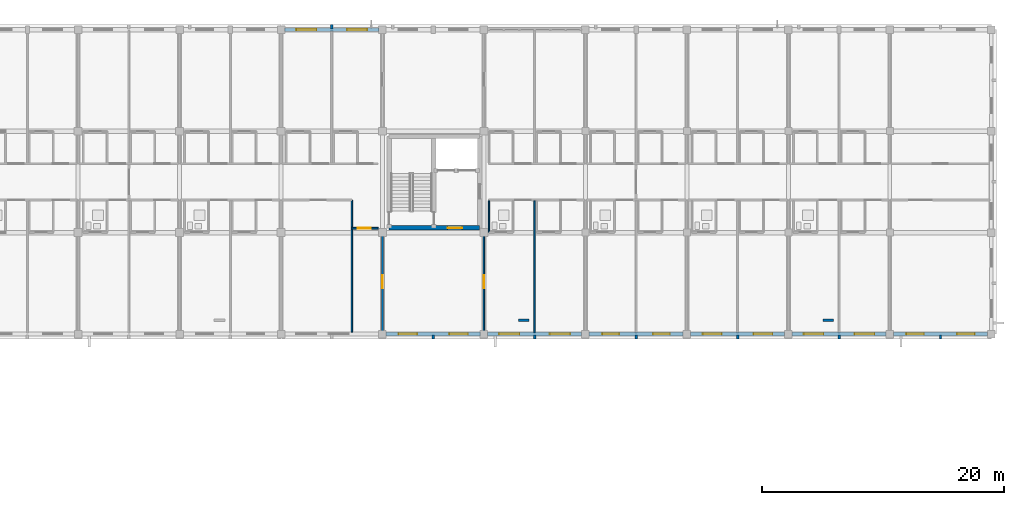
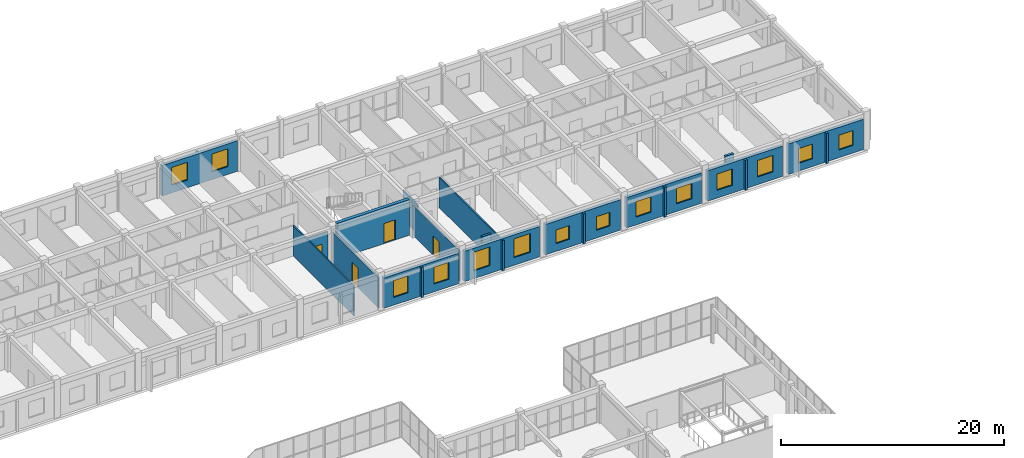
# One storey, part 69 of 81: 23 walls, 14 windows, 4 doors, 18 openings.
"""IFC4 building model written with IfcOpenShell, lengths in metres."""

from ifc_helpers import new_model, si_unit, direction, frame, frame_2d, origin, place, context, subcontext, project, spatial, rectangle, extrude, material, layer, layer_set, type_object, element, fill, save


model = new_model("IFC4")

# Units and contexts
model_context = context("Model", 3, precision=1e-05, world=origin(), true_north=direction((0.0, 1.0)))
body_context = subcontext(model_context, "Body", "Model", "MODEL_VIEW")
ifc_project = project(units=[si_unit("LENGTHUNIT", "METRE"), si_unit("AREAUNIT", "SQUARE_METRE"), si_unit("VOLUMEUNIT", "CUBIC_METRE"), si_unit("PLANEANGLEUNIT", "RADIAN"), si_unit("MASSUNIT", "GRAM", prefix="KILO")], contexts=[model_context])

# Site, building, storey
site_placement = place(None, origin())
site = spatial("IfcSite", under=ifc_project, at=site_placement, CompositionType="ELEMENT")
building_placement = place(site_placement, origin())
building = spatial("IfcBuilding", under=site, at=building_placement, Name="Trelvath General Hospital", CompositionType="ELEMENT")
storey_placement = place(building_placement, frame((0.0, 0.0, 24.60009765625)))
storey = spatial("IfcBuildingStorey", under=building, at=storey_placement, Name="L06", CompositionType="ELEMENT", Elevation=24.60009765625)

# Walls
ifc_material_1 = material(Name="Precast concrete C40/50", Category="concrete")
ifc_layer_1 = layer(ifc_material_1, 0.199951171875)
ifc_layer_set_1 = layer_set([ifc_layer_1], Name="Precast concrete C40/50")
wall_type_1 = type_object("IfcWallType", Name="BriseSoleilRib 200", PredefinedType="ELEMENTEDWALL", material=ifc_layer_set_1)
for number, where, z_axis, x_axis, name in (
    (1, (79.800048828125, 117.675048828125, 0.0), (0.0, 0.0, 1.0), (0.0, 1.0, 0.0), "Precast Concrete Brise-Soleil Rib Fin L06-434"),
    (2, (88.199951171875, 92.324951171875, 0.0), (0.0, 0.0, 1.0), (0.0, -1.0, 0.0), "Precast Concrete Brise-Soleil Rib Fin L06-437"),
    (3, (96.60009765625, 92.324951171875, 0.0), (0.0, 0.0, 1.0), (0.0, -1.0, 0.0), "Precast Concrete Brise-Soleil Rib Fin L06-440"),
    (4, (105.0, 92.324951171875, 0.0), (0.0, 0.0, 1.0), (0.0, -1.0, 0.0), "Precast Concrete Brise-Soleil Rib Fin L06-443"),
    (5, (113.39990234375, 92.324951171875, 0.0), (0.0, 0.0, 1.0), (0.0, -1.0, 0.0), "Precast Concrete Brise-Soleil Rib Fin L06-450"),
    (6, (121.800048828125, 92.324951171875, 0.0), (0.0, 0.0, 1.0), (0.0, -1.0, 0.0), "Precast Concrete Brise-Soleil Rib Fin L06-452"),
    (7, (130.199951171875, 92.324951171875, 0.0), (0.0, 0.0, 1.0), (0.0, -1.0, 0.0), "Precast Concrete Brise-Soleil Rib Fin L06-454"),
):
    element("IfcWall", number, at=place(storey_placement, frame(where, z_axis=z_axis, x_axis=x_axis)), inside=storey, type_object=wall_type_1, Name=name, PredefinedType="ELEMENTEDWALL", context=body_context, shape_type="SweptSolid", body=[
        extrude(rectangle(XDim=0.33984375, YDim=0.199951171875, at=frame_2d((0.169921875, 0.0))), origin(), (0.0, 0.0, 1.0), 3.31982421875),
    ])

# Wall, opening, door
ifc_material_2 = material(Name="Gypsum acoustic steel-stud partition", Category="steel")
ifc_layer_2 = layer(ifc_material_2, 0.14990234375)
ifc_layer_set_2 = layer_set([ifc_layer_2], Name="Gypsum acoustic steel-stud partition")
wall_type_2 = type_object("IfcWallType", Name="ClinicalPartition 150", PredefinedType="PARTITIONING", material=ifc_layer_set_2)
wall_1_placement = place(storey_placement, frame((81.4599609375, 101.159912109375, 0.0), z_axis=(0.0, 0.0, 1.0), x_axis=(1.0, 0.0, 0.0)))
wall_1 = element("IfcWall", 8, at=wall_1_placement, inside=storey, type_object=wall_type_2, Name="Clean Utility Partition L06-2229", PredefinedType="PARTITIONING", context=body_context, shape_type="SweptSolid", body=[
    extrude(rectangle(XDim=2.179931640625, YDim=0.14990234375, at=frame_2d((1.08984375, 0.0))), origin(), (0.0, 0.0, 1.0), 3.31982421875),
])
opening_1_placement = place(wall_1_placement, frame((0.5, 0.0, 0.0)))
opening_1 = element("IfcOpeningElement", 9, at=opening_1_placement, cuts=wall_1, Name="Opening D-6-1407", PredefinedType="OPENING", context=body_context, shape_type="SweptSolid", body=[
    extrude(rectangle(XDim=1.080078125, YDim=2.14990234375, at=frame_2d((0.5400390625, 1.074951171875))), frame((0.0, 0.0849609375, 0.0), z_axis=(0.0, -1.0, 0.0), x_axis=(1.0, 0.0, 0.0)), (0.0, 0.0, 1.0), 0.169921875),
])
ifc_material_3 = material(Name="Acoustic hospital timber leaf", Category="wood")
door_type_1 = type_object("IfcDoorType", Name="Door CleanSupply 1080x2150", OperationType="NOTDEFINED", PredefinedType="DOOR", material=ifc_material_3)
door_1_placement = place(opening_1_placement, origin())
door_1 = element("IfcDoor", 10, at=door_1_placement, inside=storey, type_object=door_type_1, Name="Clean Utility Door L06-1407", OperationType="SINGLE_SWING_RIGHT", OverallHeight=2.14990234375, OverallWidth=1.080078125, PredefinedType="DOOR", context=body_context, shape_type="SweptSolid", body=[
    extrude(rectangle(XDim=1.080078125, YDim=2.14990234375, at=frame_2d((0.5400390625, 1.074951171875))), frame((0.0, 0.02490234375, 0.0), z_axis=(0.0, -1.0, 0.0), x_axis=(1.0, 0.0, 0.0)), (0.0, 0.0, 1.0), 0.050048828125),
])
fill(opening_1, door_1)

ifc_material_4 = material(Name="Concrete C40/50", Category="concrete")
ifc_layer_3 = layer(ifc_material_4, 0.35009765625)
ifc_layer_set_3 = layer_set([ifc_layer_3], Name="Concrete C40/50")
wall_type_3 = type_object("IfcWallType", Name="CoreShearWall 350", PredefinedType="SHEAR", material=ifc_layer_set_3)
wall_2_placement = place(storey_placement, frame((84.550048828125, 101.199951171875, 0.0), z_axis=(0.0, 0.0, 1.0), x_axis=(1.0, 0.0, 0.0)))
wall_2 = element("IfcWall", 11, at=wall_2_placement, inside=storey, type_object=wall_type_3, Name="Core Shear Wall C2 S L06", PredefinedType="SHEAR", context=body_context, shape_type="SweptSolid", body=[
    extrude(rectangle(XDim=7.5, YDim=0.35009765625, at=frame_2d((3.75, 0.0))), origin(), (0.0, 0.0, 1.0), 3.919921875),
])
opening_2_placement = place(wall_2_placement, frame((4.85009765625, 0.0, 0.0)))
opening_2 = element("IfcOpeningElement", 12, at=opening_2_placement, cuts=wall_2, Name="Opening FD-LS26", PredefinedType="OPENING", context=body_context, shape_type="SweptSolid", body=[
    extrude(rectangle(XDim=1.199951171875, YDim=2.199951171875, at=frame_2d((0.60009765625, 1.10009765625))), frame((0.0, 0.18505859375, 0.0), z_axis=(0.0, -1.0, 0.0), x_axis=(1.0, 0.0, 0.0)), (0.0, 0.0, 1.0), 0.3701171875),
])
ifc_material_5 = material(Name="Fire-rated steel door", Category="steel")
door_type_2 = type_object("IfcDoorType", Name="Door FireLobby 1200x2200", OperationType="NOTDEFINED", PredefinedType="DOOR", material=ifc_material_5)
door_2_placement = place(opening_2_placement, origin())
door_2 = element("IfcDoor", 13, at=door_2_placement, inside=storey, type_object=door_type_2, Name="Fire Lobby South Door C2 L06", OperationType="SINGLE_SWING_RIGHT", OverallHeight=2.199951171875, OverallWidth=1.199951171875, PredefinedType="DOOR", context=body_context, shape_type="SweptSolid", body=[
    extrude(rectangle(XDim=1.199951171875, YDim=2.199951171875, at=frame_2d((0.60009765625, 1.10009765625))), frame((0.0, 0.02490234375, 0.0), z_axis=(0.0, -1.0, 0.0), x_axis=(1.0, 0.0, 0.0)), (0.0, 0.0, 1.0), 0.050048828125),
])
fill(opening_2, door_2)

# Wall
ifc_material_6 = material(Name="Moisture-resistant tile partition")
ifc_layer_4 = layer(ifc_material_6, 0.110107421875)
ifc_layer_set_4 = layer_set([ifc_layer_4], Name="Moisture-resistant tile partition")
wall_type_4 = type_object("IfcWallType", Name="EnSuiteWetWall 110", PredefinedType="PARTITIONING", material=ifc_layer_set_4)
wall_3_placement = place(storey_placement, frame((92.820068359375, 100.820068359375, 0.0), z_axis=(0.0, 0.0, 1.0), x_axis=(0.0, 1.0, 0.0)))
element("IfcWall", 14, at=wall_3_placement, inside=storey, type_object=wall_type_4, Name="En-Suite W Wall L06-2244", PredefinedType="PARTITIONING", context=body_context, shape_type="SweptSolid", body=[
    extrude(rectangle(XDim=2.60986328125, YDim=0.110107421875, at=frame_2d((1.304931640625, 0.0))), origin(), (0.0, 0.0, 1.0), 3.31982421875),
])

# Wall, openings, windows
ifc_material_7 = material(Name="Concrete C35/45", Category="concrete")
ifc_layer_5 = layer(ifc_material_7, 0.320068359375)
ifc_layer_set_5 = layer_set([ifc_layer_5], Name="Concrete C35/45")
wall_type_5 = type_object("IfcWallType", Name="ExtThermalWall 320", PredefinedType="SOLIDWALL", material=ifc_layer_set_5)
wall_4_placement = place(storey_placement, frame((75.905029296875, 117.60009765625, 0.0), z_axis=(0.0, 0.0, 1.0), x_axis=(1.0, 0.0, 0.0)))
wall_4 = element("IfcWall", 15, at=wall_4_placement, inside=storey, type_object=wall_type_5, Name="Exterior Concrete Wall L06-580", PredefinedType="SOLIDWALL", context=body_context, shape_type="SweptSolid", body=[
    extrude(rectangle(XDim=7.7900390625, YDim=0.320068359375, at=frame_2d((3.89501953125, 0.0))), origin(), (0.0, 0.0, 1.0), 3.33984375),
])
opening_3_placement = place(wall_4_placement, frame((0.961669921875, 0.0, 0.85009765625)))
opening_3 = element("IfcOpeningElement", 16, at=opening_3_placement, cuts=wall_4, Name="Opening WN-6-971", PredefinedType="OPENING", context=body_context, shape_type="SweptSolid", body=[
    extrude(rectangle(XDim=1.659912109375, YDim=1.949951171875, at=frame_2d((0.830078125, 0.97509765625))), frame((0.0, 0.169921875, 0.0), z_axis=(0.0, -1.0, 0.0), x_axis=(1.0, 0.0, 0.0)), (0.0, 0.0, 1.0), 0.340087890625),
])
opening_4_placement = place(wall_4_placement, frame((5.168212890625, 0.0, 0.85009765625)))
opening_4 = element("IfcOpeningElement", 17, at=opening_4_placement, cuts=wall_4, Name="Opening WN-6-972", PredefinedType="OPENING", context=body_context, shape_type="SweptSolid", body=[
    extrude(rectangle(XDim=1.659912109375, YDim=1.949951171875, at=frame_2d((0.830078125, 0.97509765625))), frame((0.0, 0.169921875, 0.0), z_axis=(0.0, -1.0, 0.0), x_axis=(1.0, 0.0, 0.0)), (0.0, 0.0, 1.0), 0.340087890625),
])
ifc_material_8 = material(Name="Low-E laminated glass", Category="glass")
window_type_1 = type_object("IfcWindowType", Name="Window Dayroom 1660x1950", PartitioningType="DOUBLE_PANEL_VERTICAL", PredefinedType="WINDOW", material=ifc_material_8)
window_1_placement = place(opening_3_placement, origin())
window_1 = element("IfcWindow", 18, at=window_1_placement, inside=storey, type_object=window_type_1, Name="Solar Reveal Window L06-971", OverallHeight=1.949951171875, OverallWidth=1.659912109375, PartitioningType="SINGLE_PANEL", PredefinedType="WINDOW", context=body_context, shape_type="SweptSolid", body=[
    extrude(rectangle(XDim=1.659912109375, YDim=1.949951171875, at=frame_2d((0.830078125, 0.97509765625))), frame((0.0, 0.030029296875, 0.0), z_axis=(0.0, -1.0, 0.0), x_axis=(1.0, 0.0, 0.0)), (0.0, 0.0, 1.0), 0.06005859375),
])
fill(opening_3, window_1)
window_2_placement = place(opening_4_placement, origin())
window_2 = element("IfcWindow", 19, at=window_2_placement, inside=storey, type_object=window_type_1, Name="Solar Reveal Window L06-972", OverallHeight=1.949951171875, OverallWidth=1.659912109375, PartitioningType="SINGLE_PANEL", PredefinedType="WINDOW", context=body_context, shape_type="SweptSolid", body=[
    extrude(rectangle(XDim=1.659912109375, YDim=1.949951171875, at=frame_2d((0.830078125, 0.97509765625))), frame((0.0, 0.030029296875, 0.0), z_axis=(0.0, -1.0, 0.0), x_axis=(1.0, 0.0, 0.0)), (0.0, 0.0, 1.0), 0.06005859375),
])
fill(opening_4, window_2)

wall_5_placement = place(storey_placement, frame((92.094970703125, 92.39990234375, 0.0), z_axis=(0.0, 0.0, 1.0), x_axis=(-1.0, 0.0, 0.0)))
wall_5 = element("IfcWall", 20, at=wall_5_placement, inside=storey, type_object=wall_type_5, Name="Exterior Concrete Wall L06-586", PredefinedType="SOLIDWALL", context=body_context, shape_type="SweptSolid", body=[
    extrude(rectangle(XDim=7.7900390625, YDim=0.320068359375, at=frame_2d((3.89501953125, 0.0))), origin(), (0.0, 0.0, 1.0), 3.33984375),
])
opening_5_placement = place(wall_5_placement, frame((1.021728515625, 0.0, 0.85009765625)))
opening_5 = element("IfcOpeningElement", 21, at=opening_5_placement, cuts=wall_5, Name="Opening WN-6-979", PredefinedType="OPENING", context=body_context, shape_type="SweptSolid", body=[
    extrude(rectangle(XDim=1.5400390625, YDim=1.85009765625, at=frame_2d((0.77001953125, 0.925048828125))), frame((0.0, 0.169921875, 0.0), z_axis=(0.0, -1.0, 0.0), x_axis=(1.0, 0.0, 0.0)), (0.0, 0.0, 1.0), 0.340087890625),
])
opening_6_placement = place(wall_5_placement, frame((5.228271484375, 0.0, 0.85009765625)))
opening_6 = element("IfcOpeningElement", 22, at=opening_6_placement, cuts=wall_5, Name="Opening WN-6-980", PredefinedType="OPENING", context=body_context, shape_type="SweptSolid", body=[
    extrude(rectangle(XDim=1.5400390625, YDim=1.85009765625, at=frame_2d((0.77001953125, 0.925048828125))), frame((0.0, 0.169921875, 0.0), z_axis=(0.0, -1.0, 0.0), x_axis=(1.0, 0.0, 0.0)), (0.0, 0.0, 1.0), 0.340087890625),
])
ifc_material_9 = material(Name="Low-E laminated glass", Category="glass")
window_type_2 = type_object("IfcWindowType", Name="Window Waiting 1540x1850", PartitioningType="DOUBLE_PANEL_VERTICAL", PredefinedType="WINDOW", material=ifc_material_9)
window_3_placement = place(opening_5_placement, origin())
window_3 = element("IfcWindow", 23, at=window_3_placement, inside=storey, type_object=window_type_2, Name="Solar Reveal Window L06-979", OverallHeight=1.85009765625, OverallWidth=1.5400390625, PartitioningType="SINGLE_PANEL", PredefinedType="WINDOW", context=body_context, shape_type="SweptSolid", body=[
    extrude(rectangle(XDim=1.5400390625, YDim=1.85009765625, at=frame_2d((0.77001953125, 0.925048828125))), frame((0.0, 0.030029296875, 0.0), z_axis=(0.0, -1.0, 0.0), x_axis=(1.0, 0.0, 0.0)), (0.0, 0.0, 1.0), 0.06005859375),
])
fill(opening_5, window_3)
window_4_placement = place(opening_6_placement, origin())
window_4 = element("IfcWindow", 24, at=window_4_placement, inside=storey, type_object=window_type_2, Name="Solar Reveal Window L06-980", OverallHeight=1.85009765625, OverallWidth=1.5400390625, PartitioningType="SINGLE_PANEL", PredefinedType="WINDOW", context=body_context, shape_type="SweptSolid", body=[
    extrude(rectangle(XDim=1.5400390625, YDim=1.85009765625, at=frame_2d((0.77001953125, 0.925048828125))), frame((0.0, 0.030029296875, 0.0), z_axis=(0.0, -1.0, 0.0), x_axis=(1.0, 0.0, 0.0)), (0.0, 0.0, 1.0), 0.06005859375),
])
fill(opening_6, window_4)

wall_6_placement = place(storey_placement, frame((100.4951171875, 92.39990234375, 0.0), z_axis=(0.0, 0.0, 1.0), x_axis=(-1.0, 0.0, 0.0)))
wall_6 = element("IfcWall", 25, at=wall_6_placement, inside=storey, type_object=wall_type_5, Name="Exterior Concrete Wall L06-589", PredefinedType="SOLIDWALL", context=body_context, shape_type="SweptSolid", body=[
    extrude(rectangle(XDim=7.7900390625, YDim=0.320068359375, at=frame_2d((3.89501953125, 0.0))), origin(), (0.0, 0.0, 1.0), 3.33984375),
])
opening_7_placement = place(wall_6_placement, frame((0.95166015625, 0.0, 0.85009765625)))
opening_7 = element("IfcOpeningElement", 26, at=opening_7_placement, cuts=wall_6, Name="Opening WN-6-985", PredefinedType="OPENING", context=body_context, shape_type="SweptSolid", body=[
    extrude(rectangle(XDim=1.679931640625, YDim=2.050048828125, at=frame_2d((0.83984375, 1.02490234375))), frame((0.0, 0.169921875, 0.0), z_axis=(0.0, -1.0, 0.0), x_axis=(1.0, 0.0, 0.0)), (0.0, 0.0, 1.0), 0.340087890625),
])
opening_8_placement = place(wall_6_placement, frame((5.158203125, 0.0, 0.85009765625)))
opening_8 = element("IfcOpeningElement", 27, at=opening_8_placement, cuts=wall_6, Name="Opening WN-6-986", PredefinedType="OPENING", context=body_context, shape_type="SweptSolid", body=[
    extrude(rectangle(XDim=1.679931640625, YDim=2.050048828125, at=frame_2d((0.83984375, 1.02490234375))), frame((0.0, 0.169921875, 0.0), z_axis=(0.0, -1.0, 0.0), x_axis=(1.0, 0.0, 0.0)), (0.0, 0.0, 1.0), 0.340087890625),
])
ifc_material_10 = material(Name="Low-E laminated glass", Category="glass")
window_type_3 = type_object("IfcWindowType", Name="Window Cafe 1680x2050", PartitioningType="DOUBLE_PANEL_VERTICAL", PredefinedType="WINDOW", material=ifc_material_10)
window_5_placement = place(opening_7_placement, origin())
window_5 = element("IfcWindow", 28, at=window_5_placement, inside=storey, type_object=window_type_3, Name="Solar Reveal Window L06-985", OverallHeight=2.050048828125, OverallWidth=1.679931640625, PartitioningType="SINGLE_PANEL", PredefinedType="WINDOW", context=body_context, shape_type="SweptSolid", body=[
    extrude(rectangle(XDim=1.679931640625, YDim=2.050048828125, at=frame_2d((0.83984375, 1.02490234375))), frame((0.0, 0.030029296875, 0.0), z_axis=(0.0, -1.0, 0.0), x_axis=(1.0, 0.0, 0.0)), (0.0, 0.0, 1.0), 0.06005859375),
])
fill(opening_7, window_5)
window_6_placement = place(opening_8_placement, origin())
window_6 = element("IfcWindow", 29, at=window_6_placement, inside=storey, type_object=window_type_3, Name="Solar Reveal Window L06-986", OverallHeight=2.050048828125, OverallWidth=1.679931640625, PartitioningType="SINGLE_PANEL", PredefinedType="WINDOW", context=body_context, shape_type="SweptSolid", body=[
    extrude(rectangle(XDim=1.679931640625, YDim=2.050048828125, at=frame_2d((0.83984375, 1.02490234375))), frame((0.0, 0.030029296875, 0.0), z_axis=(0.0, -1.0, 0.0), x_axis=(1.0, 0.0, 0.0)), (0.0, 0.0, 1.0), 0.06005859375),
])
fill(opening_8, window_6)

wall_7_placement = place(storey_placement, frame((108.89501953125, 92.39990234375, 0.0), z_axis=(0.0, 0.0, 1.0), x_axis=(-1.0, 0.0, 0.0)))
wall_7 = element("IfcWall", 30, at=wall_7_placement, inside=storey, type_object=wall_type_5, Name="Exterior Concrete Wall L06-592", PredefinedType="SOLIDWALL", context=body_context, shape_type="SweptSolid", body=[
    extrude(rectangle(XDim=7.7900390625, YDim=0.320068359375, at=frame_2d((3.89501953125, 0.0))), origin(), (0.0, 0.0, 1.0), 3.33984375),
])
opening_9_placement = place(wall_7_placement, frame((1.101806640625, 0.0, 0.85009765625)))
opening_9 = element("IfcOpeningElement", 31, at=opening_9_placement, cuts=wall_7, Name="Opening WN-6-991", PredefinedType="OPENING", context=body_context, shape_type="SweptSolid", body=[
    extrude(rectangle(XDim=1.3798828125, YDim=1.5, at=frame_2d((0.68994140625, 0.75))), frame((0.0, 0.169921875, 0.0), z_axis=(0.0, -1.0, 0.0), x_axis=(1.0, 0.0, 0.0)), (0.0, 0.0, 1.0), 0.340087890625),
])
opening_10_placement = place(wall_7_placement, frame((5.308349609375, 0.0, 0.85009765625)))
opening_10 = element("IfcOpeningElement", 32, at=opening_10_placement, cuts=wall_7, Name="Opening WN-6-992", PredefinedType="OPENING", context=body_context, shape_type="SweptSolid", body=[
    extrude(rectangle(XDim=1.3798828125, YDim=1.5, at=frame_2d((0.68994140625, 0.75))), frame((0.0, 0.169921875, 0.0), z_axis=(0.0, -1.0, 0.0), x_axis=(1.0, 0.0, 0.0)), (0.0, 0.0, 1.0), 0.340087890625),
])
ifc_material_11 = material(Name="Low-E laminated glass", Category="glass")
window_type_4 = type_object("IfcWindowType", Name="Window Admin 1380x1500", PartitioningType="SINGLE_PANEL", PredefinedType="WINDOW", material=ifc_material_11)
window_7_placement = place(opening_9_placement, origin())
window_7 = element("IfcWindow", 33, at=window_7_placement, inside=storey, type_object=window_type_4, Name="Solar Reveal Window L06-991", OverallHeight=1.5, OverallWidth=1.3798828125, PartitioningType="SINGLE_PANEL", PredefinedType="WINDOW", context=body_context, shape_type="SweptSolid", body=[
    extrude(rectangle(XDim=1.3798828125, YDim=1.5, at=frame_2d((0.68994140625, 0.75))), frame((0.0, 0.030029296875, 0.0), z_axis=(0.0, -1.0, 0.0), x_axis=(1.0, 0.0, 0.0)), (0.0, 0.0, 1.0), 0.06005859375),
])
fill(opening_9, window_7)
window_8_placement = place(opening_10_placement, origin())
window_8 = element("IfcWindow", 34, at=window_8_placement, inside=storey, type_object=window_type_4, Name="Solar Reveal Window L06-992", OverallHeight=1.5, OverallWidth=1.3798828125, PartitioningType="SINGLE_PANEL", PredefinedType="WINDOW", context=body_context, shape_type="SweptSolid", body=[
    extrude(rectangle(XDim=1.3798828125, YDim=1.5, at=frame_2d((0.68994140625, 0.75))), frame((0.0, 0.030029296875, 0.0), z_axis=(0.0, -1.0, 0.0), x_axis=(1.0, 0.0, 0.0)), (0.0, 0.0, 1.0), 0.06005859375),
])
fill(opening_10, window_8)

wall_8_placement = place(storey_placement, frame((117.294921875, 92.39990234375, 0.0), z_axis=(0.0, 0.0, 1.0), x_axis=(-1.0, 0.0, 0.0)))
wall_8 = element("IfcWall", 35, at=wall_8_placement, inside=storey, type_object=wall_type_5, Name="Exterior Concrete Wall L06-599", PredefinedType="SOLIDWALL", context=body_context, shape_type="SweptSolid", body=[
    extrude(rectangle(XDim=7.7900390625, YDim=0.320068359375, at=frame_2d((3.89501953125, 0.0))), origin(), (0.0, 0.0, 1.0), 3.33984375),
])
opening_11_placement = place(wall_8_placement, frame((1.01171875, 0.0, 0.85009765625)))
opening_11 = element("IfcOpeningElement", 36, at=opening_11_placement, cuts=wall_8, Name="Opening WN-6-1005", PredefinedType="OPENING", context=body_context, shape_type="SweptSolid", body=[
    extrude(rectangle(XDim=1.56005859375, YDim=1.699951171875, at=frame_2d((0.780029296875, 0.85009765625))), frame((0.0, 0.169921875, 0.0), z_axis=(0.0, -1.0, 0.0), x_axis=(1.0, 0.0, 0.0)), (0.0, 0.0, 1.0), 0.340087890625),
])
opening_12_placement = place(wall_8_placement, frame((5.21826171875, 0.0, 0.85009765625)))
opening_12 = element("IfcOpeningElement", 37, at=opening_12_placement, cuts=wall_8, Name="Opening WN-6-1006", PredefinedType="OPENING", context=body_context, shape_type="SweptSolid", body=[
    extrude(rectangle(XDim=1.56005859375, YDim=1.699951171875, at=frame_2d((0.780029296875, 0.85009765625))), frame((0.0, 0.169921875, 0.0), z_axis=(0.0, -1.0, 0.0), x_axis=(1.0, 0.0, 0.0)), (0.0, 0.0, 1.0), 0.340087890625),
])
ifc_material_12 = material(Name="Low-E laminated glass", Category="glass")
window_type_5 = type_object("IfcWindowType", Name="Window Dialysis 1560x1700", PartitioningType="DOUBLE_PANEL_VERTICAL", PredefinedType="WINDOW", material=ifc_material_12)
window_9_placement = place(opening_11_placement, origin())
window_9 = element("IfcWindow", 38, at=window_9_placement, inside=storey, type_object=window_type_5, Name="Solar Reveal Window L06-1005", OverallHeight=1.699951171875, OverallWidth=1.56005859375, PartitioningType="SINGLE_PANEL", PredefinedType="WINDOW", context=body_context, shape_type="SweptSolid", body=[
    extrude(rectangle(XDim=1.56005859375, YDim=1.699951171875, at=frame_2d((0.780029296875, 0.85009765625))), frame((0.0, 0.030029296875, 0.0), z_axis=(0.0, -1.0, 0.0), x_axis=(1.0, 0.0, 0.0)), (0.0, 0.0, 1.0), 0.06005859375),
])
fill(opening_11, window_9)
window_10_placement = place(opening_12_placement, origin())
window_10 = element("IfcWindow", 39, at=window_10_placement, inside=storey, type_object=window_type_5, Name="Solar Reveal Window L06-1006", OverallHeight=1.699951171875, OverallWidth=1.56005859375, PartitioningType="SINGLE_PANEL", PredefinedType="WINDOW", context=body_context, shape_type="SweptSolid", body=[
    extrude(rectangle(XDim=1.56005859375, YDim=1.699951171875, at=frame_2d((0.780029296875, 0.85009765625))), frame((0.0, 0.030029296875, 0.0), z_axis=(0.0, -1.0, 0.0), x_axis=(1.0, 0.0, 0.0)), (0.0, 0.0, 1.0), 0.06005859375),
])
fill(opening_12, window_10)

wall_9_placement = place(storey_placement, frame((125.695068359375, 92.39990234375, 0.0), z_axis=(0.0, 0.0, 1.0), x_axis=(-1.0, 0.0, 0.0)))
wall_9 = element("IfcWall", 40, at=wall_9_placement, inside=storey, type_object=wall_type_5, Name="Exterior Concrete Wall L06-601", PredefinedType="SOLIDWALL", context=body_context, shape_type="SweptSolid", body=[
    extrude(rectangle(XDim=7.7900390625, YDim=0.320068359375, at=frame_2d((3.89501953125, 0.0))), origin(), (0.0, 0.0, 1.0), 3.33984375),
])
opening_13_placement = place(wall_9_placement, frame((0.981689453125, 0.0, 0.85009765625)))
opening_13 = element("IfcOpeningElement", 41, at=opening_13_placement, cuts=wall_9, Name="Opening WN-6-1009", PredefinedType="OPENING", context=body_context, shape_type="SweptSolid", body=[
    extrude(rectangle(XDim=1.6201171875, YDim=1.800048828125, at=frame_2d((0.81005859375, 0.89990234375))), frame((0.0, 0.169921875, 0.0), z_axis=(0.0, -1.0, 0.0), x_axis=(1.0, 0.0, 0.0)), (0.0, 0.0, 1.0), 0.340087890625),
])
opening_14_placement = place(wall_9_placement, frame((5.188232421875, 0.0, 0.85009765625)))
opening_14 = element("IfcOpeningElement", 42, at=opening_14_placement, cuts=wall_9, Name="Opening WN-6-1010", PredefinedType="OPENING", context=body_context, shape_type="SweptSolid", body=[
    extrude(rectangle(XDim=1.6201171875, YDim=1.800048828125, at=frame_2d((0.81005859375, 0.89990234375))), frame((0.0, 0.169921875, 0.0), z_axis=(0.0, -1.0, 0.0), x_axis=(1.0, 0.0, 0.0)), (0.0, 0.0, 1.0), 0.340087890625),
])
ifc_material_13 = material(Name="Low-E laminated glass", Category="glass")
window_type_6 = type_object("IfcWindowType", Name="Window Rehab 1620x1800", PartitioningType="DOUBLE_PANEL_VERTICAL", PredefinedType="WINDOW", material=ifc_material_13)
window_11_placement = place(opening_13_placement, origin())
window_11 = element("IfcWindow", 43, at=window_11_placement, inside=storey, type_object=window_type_6, Name="Solar Reveal Window L06-1009", OverallHeight=1.800048828125, OverallWidth=1.6201171875, PartitioningType="SINGLE_PANEL", PredefinedType="WINDOW", context=body_context, shape_type="SweptSolid", body=[
    extrude(rectangle(XDim=1.6201171875, YDim=1.800048828125, at=frame_2d((0.81005859375, 0.89990234375))), frame((0.0, 0.030029296875, 0.0), z_axis=(0.0, -1.0, 0.0), x_axis=(1.0, 0.0, 0.0)), (0.0, 0.0, 1.0), 0.06005859375),
])
fill(opening_13, window_11)
window_12_placement = place(opening_14_placement, origin())
window_12 = element("IfcWindow", 44, at=window_12_placement, inside=storey, type_object=window_type_6, Name="Solar Reveal Window L06-1010", OverallHeight=1.800048828125, OverallWidth=1.6201171875, PartitioningType="SINGLE_PANEL", PredefinedType="WINDOW", context=body_context, shape_type="SweptSolid", body=[
    extrude(rectangle(XDim=1.6201171875, YDim=1.800048828125, at=frame_2d((0.81005859375, 0.89990234375))), frame((0.0, 0.030029296875, 0.0), z_axis=(0.0, -1.0, 0.0), x_axis=(1.0, 0.0, 0.0)), (0.0, 0.0, 1.0), 0.06005859375),
])
fill(opening_14, window_12)

wall_10_placement = place(storey_placement, frame((134.094970703125, 92.39990234375, 0.0), z_axis=(0.0, 0.0, 1.0), x_axis=(-1.0, 0.0, 0.0)))
wall_10 = element("IfcWall", 45, at=wall_10_placement, inside=storey, type_object=wall_type_5, Name="Exterior Concrete Wall L06-603", PredefinedType="SOLIDWALL", context=body_context, shape_type="SweptSolid", body=[
    extrude(rectangle(XDim=7.7900390625, YDim=0.320068359375, at=frame_2d((3.89501953125, 0.0))), origin(), (0.0, 0.0, 1.0), 3.33984375),
])
opening_15_placement = place(wall_10_placement, frame((1.07177734375, 0.0, 0.85009765625)))
opening_15 = element("IfcOpeningElement", 46, at=opening_15_placement, cuts=wall_10, Name="Opening WN-6-1013", PredefinedType="OPENING", context=body_context, shape_type="SweptSolid", body=[
    extrude(rectangle(XDim=1.43994140625, YDim=1.6201171875, at=frame_2d((0.719970703125, 0.81005859375))), frame((0.0, 0.169921875, 0.0), z_axis=(0.0, -1.0, 0.0), x_axis=(1.0, 0.0, 0.0)), (0.0, 0.0, 1.0), 0.340087890625),
])
opening_16_placement = place(wall_10_placement, frame((5.2783203125, 0.0, 0.85009765625)))
opening_16 = element("IfcOpeningElement", 47, at=opening_16_placement, cuts=wall_10, Name="Opening WN-6-1014", PredefinedType="OPENING", context=body_context, shape_type="SweptSolid", body=[
    extrude(rectangle(XDim=1.43994140625, YDim=1.6201171875, at=frame_2d((0.719970703125, 0.81005859375))), frame((0.0, 0.169921875, 0.0), z_axis=(0.0, -1.0, 0.0), x_axis=(1.0, 0.0, 0.0)), (0.0, 0.0, 1.0), 0.340087890625),
])
ifc_material_14 = material(Name="Low-E laminated glass", Category="glass")
window_type_7 = type_object("IfcWindowType", Name="Window Maternity 1440x1620", PartitioningType="DOUBLE_PANEL_VERTICAL", PredefinedType="WINDOW", material=ifc_material_14)
window_13_placement = place(opening_15_placement, origin())
window_13 = element("IfcWindow", 48, at=window_13_placement, inside=storey, type_object=window_type_7, Name="Solar Reveal Window L06-1013", OverallHeight=1.6201171875, OverallWidth=1.43994140625, PartitioningType="SINGLE_PANEL", PredefinedType="WINDOW", context=body_context, shape_type="SweptSolid", body=[
    extrude(rectangle(XDim=1.43994140625, YDim=1.6201171875, at=frame_2d((0.719970703125, 0.81005859375))), frame((0.0, 0.030029296875, 0.0), z_axis=(0.0, -1.0, 0.0), x_axis=(1.0, 0.0, 0.0)), (0.0, 0.0, 1.0), 0.06005859375),
])
fill(opening_15, window_13)
window_14_placement = place(opening_16_placement, origin())
window_14 = element("IfcWindow", 49, at=window_14_placement, inside=storey, type_object=window_type_7, Name="Solar Reveal Window L06-1014", OverallHeight=1.6201171875, OverallWidth=1.43994140625, PartitioningType="SINGLE_PANEL", PredefinedType="WINDOW", context=body_context, shape_type="SweptSolid", body=[
    extrude(rectangle(XDim=1.43994140625, YDim=1.6201171875, at=frame_2d((0.719970703125, 0.81005859375))), frame((0.0, 0.030029296875, 0.0), z_axis=(0.0, -1.0, 0.0), x_axis=(1.0, 0.0, 0.0)), (0.0, 0.0, 1.0), 0.06005859375),
])
fill(opening_16, window_14)

# Walls
ifc_material_15 = material(Name="Masonry service chase blockwork", Category="masonry")
ifc_layer_6 = layer(ifc_material_15, 0.239990234375)
ifc_layer_set_6 = layer_set([ifc_layer_6], Name="Masonry service chase blockwork")
wall_type_6 = type_object("IfcWallType", Name="PlumbingChaseWall 240", PredefinedType="PLUMBINGWALL", material=ifc_layer_set_6)
wall_11_placement = place(storey_placement, frame((95.25, 93.550048828125, 0.0), z_axis=(0.0, 0.0, 1.0), x_axis=(1.0, 0.0, 0.0)))
element("IfcWall", 50, at=wall_11_placement, inside=storey, type_object=wall_type_6, Name="Medical Gas Plumbing Chase L06-2250", PredefinedType="PLUMBINGWALL", context=body_context, shape_type="SweptSolid", body=[
    extrude(rectangle(XDim=0.89990234375, YDim=0.239990234375, at=frame_2d((0.449951171875, 0.0))), origin(), (0.0, 0.0, 1.0), 3.31982421875),
])
wall_12_placement = place(storey_placement, frame((120.449951171875, 93.550048828125, 0.0), z_axis=(0.0, 0.0, 1.0), x_axis=(1.0, 0.0, 0.0)))
element("IfcWall", 51, at=wall_12_placement, inside=storey, type_object=wall_type_6, Name="Medical Gas Plumbing Chase L06-2306", PredefinedType="PLUMBINGWALL", context=body_context, shape_type="SweptSolid", body=[
    extrude(rectangle(XDim=0.900146484375, YDim=0.239990234375, at=frame_2d((0.4501953125, 0.0))), origin(), (0.0, 0.0, 1.0), 3.31982421875),
])
ifc_material_16 = material(Name="Gypsum acoustic steel-stud partition", Category="steel")
ifc_layer_7 = layer(ifc_material_16, 0.1298828125)
ifc_layer_set_7 = layer_set([ifc_layer_7], Name="Gypsum acoustic steel-stud partition")
wall_type_7 = type_object("IfcWallType", Name="WardPartition 130", PredefinedType="PARTITIONING", material=ifc_layer_set_7)
wall_13_placement = place(storey_placement, frame((81.4599609375, 92.56005859375, 0.0), z_axis=(0.0, 0.0, 1.0), x_axis=(0.0, 1.0, 0.0)))
element("IfcWall", 52, at=wall_13_placement, inside=storey, type_object=wall_type_7, Name="Nurse Alcove Partition L06-2228", PredefinedType="PARTITIONING", context=body_context, shape_type="SweptSolid", body=[
    extrude(rectangle(XDim=10.93994140625, YDim=0.1298828125, at=frame_2d((5.469970703125, 0.0))), origin(), (0.0, 0.0, 1.0), 3.31982421875),
])

# Wall, opening, door
wall_14_placement = place(storey_placement, frame((84.0, 92.5400390625, 0.0), z_axis=(0.0, 0.0, 1.0), x_axis=(0.0, 1.0, 0.0)))
wall_14 = element("IfcWall", 53, at=wall_14_placement, inside=storey, type_object=wall_type_7, Name="Inter-Bay Ward Partition S L06-2238", PredefinedType="PARTITIONING", context=body_context, shape_type="SweptSolid", body=[
    extrude(rectangle(XDim=8.2099609375, YDim=0.1298828125, at=frame_2d((4.10498046875, 0.0))), origin(), (0.0, 0.0, 1.0), 3.31982421875),
])
opening_17_placement = place(wall_14_placement, frame((3.639892578125, 0.0, 0.0)))
opening_17 = element("IfcOpeningElement", 54, at=opening_17_placement, cuts=wall_14, Name="Opening D-6-1412", PredefinedType="OPENING", context=body_context, shape_type="SweptSolid", body=[
    extrude(rectangle(XDim=1.080078125, YDim=2.14990234375, at=frame_2d((0.5400390625, 1.074951171875))), frame((0.0, 0.074951171875, 0.0), z_axis=(0.0, -1.0, 0.0), x_axis=(1.0, 0.0, 0.0)), (0.0, 0.0, 1.0), 0.14990234375),
])
door_3_placement = place(opening_17_placement, origin())
door_3 = element("IfcDoor", 55, at=door_3_placement, inside=storey, type_object=door_type_1, Name="Clean Supply Connecting Door L06-1412", OperationType="SINGLE_SWING_RIGHT", OverallHeight=2.14990234375, OverallWidth=1.080078125, PredefinedType="DOOR", context=body_context, shape_type="SweptSolid", body=[
    extrude(rectangle(XDim=1.080078125, YDim=2.14990234375, at=frame_2d((0.5400390625, 1.074951171875))), frame((0.0, 0.02490234375, 0.0), z_axis=(0.0, -1.0, 0.0), x_axis=(1.0, 0.0, 0.0)), (0.0, 0.0, 1.0), 0.050048828125),
])
fill(opening_17, door_3)

wall_15_placement = place(storey_placement, frame((92.39990234375, 92.5400390625, 0.0), z_axis=(0.0, 0.0, 1.0), x_axis=(0.0, 1.0, 0.0)))
wall_15 = element("IfcWall", 56, at=wall_15_placement, inside=storey, type_object=wall_type_7, Name="Inter-Bay Ward Partition S L06-2240", PredefinedType="PARTITIONING", context=body_context, shape_type="SweptSolid", body=[
    extrude(rectangle(XDim=8.2099609375, YDim=0.1298828125, at=frame_2d((4.10498046875, 0.0))), origin(), (0.0, 0.0, 1.0), 3.31982421875),
])
opening_18_placement = place(wall_15_placement, frame((3.639892578125, 0.0, 0.0)))
opening_18 = element("IfcOpeningElement", 57, at=opening_18_placement, cuts=wall_15, Name="Opening D-6-1414", PredefinedType="OPENING", context=body_context, shape_type="SweptSolid", body=[
    extrude(rectangle(XDim=1.080078125, YDim=2.14990234375, at=frame_2d((0.5400390625, 1.074951171875))), frame((0.0, 0.074951171875, 0.0), z_axis=(0.0, -1.0, 0.0), x_axis=(1.0, 0.0, 0.0)), (0.0, 0.0, 1.0), 0.14990234375),
])
door_4_placement = place(opening_18_placement, origin())
door_4 = element("IfcDoor", 58, at=door_4_placement, inside=storey, type_object=door_type_1, Name="Clean Supply Connecting Door L06-1414", OperationType="SINGLE_SWING_RIGHT", OverallHeight=2.14990234375, OverallWidth=1.080078125, PredefinedType="DOOR", context=body_context, shape_type="SweptSolid", body=[
    extrude(rectangle(XDim=1.080078125, YDim=2.14990234375, at=frame_2d((0.5400390625, 1.074951171875))), frame((0.0, 0.02490234375, 0.0), z_axis=(0.0, -1.0, 0.0), x_axis=(1.0, 0.0, 0.0)), (0.0, 0.0, 1.0), 0.050048828125),
])
fill(opening_18, door_4)

# Wall
wall_16_placement = place(storey_placement, frame((96.60009765625, 92.5, 0.0), z_axis=(0.0, 0.0, 1.0), x_axis=(0.0, 1.0, 0.0)))
element("IfcWall", 59, at=wall_16_placement, inside=storey, type_object=wall_type_7, Name="Room Dividing Partition S L06-2243", PredefinedType="PARTITIONING", context=body_context, shape_type="SweptSolid", body=[
    extrude(rectangle(XDim=10.929931640625, YDim=0.1298828125, at=frame_2d((5.46484375, 0.0))), origin(), (0.0, 0.0, 1.0), 3.31982421875),
])

save(model, "model.ifc")
